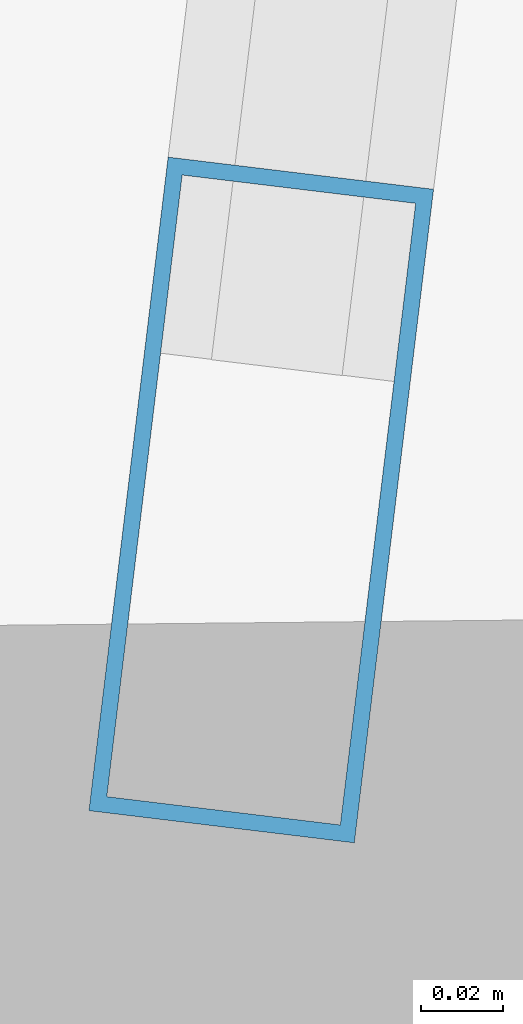
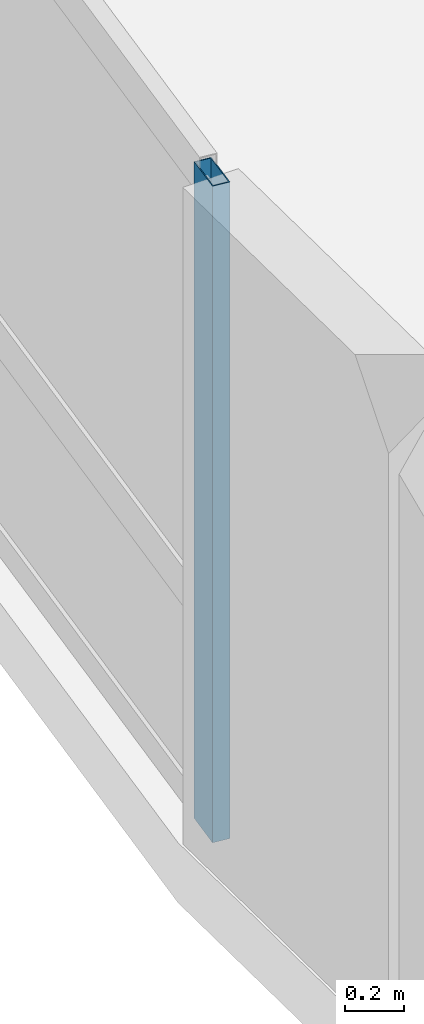
# One storey, part 2 of 26: 1 member, 1 element without a shape of its own.
"""IFC4 building model written with IfcOpenShell, lengths in metres."""

import ifcopenshell
import ifcopenshell.guid

model = None  # the IFC model being written
_history = None  # IfcOwnerHistory: only IFC2X3 demands one
_inside = {}  # id of a spatial element -> (the spatial element, [elements in it])
_under = {}  # id of a project, library or spatial element -> (it, [spatial elements below it])
_declared = {}  # id of a project -> (the project, [libraries it declares])
_typed = {}  # id of a type object -> (the type object, [elements of that type])
_made_of = {}  # id of a material, layer set ... -> (it, [elements and type objects made of it])


def new_model(schema):
    """Start an empty IFC model of exactly this schema.

    Asked for "IFC4X3", IfcOpenShell would pick the latest addendum, in which some entities
    have other attributes; the version numbers below select the first issue.
    IFC2X3 requires an IfcOwnerHistory on every rooted entity: one is made here for all.
    """
    global model, _history
    if schema == "IFC4X3":
        model = ifcopenshell.file(schema_version=(4, 3, 0, 0))
    else:
        model = ifcopenshell.file(schema=schema)
    _inside.clear()
    _under.clear()
    _declared.clear()
    _typed.clear()
    _made_of.clear()
    _history = None
    if model.schema == "IFC2X3":
        org = make("IfcOrganization", Name="unknown")
        user = make(
            "IfcPersonAndOrganization",
            ThePerson=make("IfcPerson", FamilyName="unknown"),
            TheOrganization=org,
        )
        app = make(
            "IfcApplication",
            ApplicationDeveloper=org,
            Version="unknown",
            ApplicationFullName="unknown",
            ApplicationIdentifier="unknown",
        )
        _history = make(
            "IfcOwnerHistory",
            OwningUser=user,
            OwningApplication=app,
            ChangeAction="ADDED",
            CreationDate=0,
        )
    return model


def make(cls, **values):
    """One entity of the class cls with the attributes given. An attribute that is None is left unset."""
    return model.create_entity(
        cls, **{name: value for name, value in values.items() if value is not None}
    )


def rooted(cls, **values):
    """An entity with a GlobalId (a new one), such as an element, a storey or a relation."""
    return make(cls, GlobalId=ifcopenshell.guid.new(), OwnerHistory=_history, **values)


def si_unit(unit_type, name, prefix=None):
    """IfcSIUnit, for example si_unit("LENGTHUNIT", "METRE", prefix="MILLI")."""
    return make("IfcSIUnit", UnitType=unit_type, Prefix=prefix, Name=name)


def assignment(units):
    """IfcUnitAssignment: the units of a project."""
    return None if units is None else make("IfcUnitAssignment", Units=units)


def point(xyz):
    """IfcCartesianPoint."""
    return None if xyz is None else make("IfcCartesianPoint", Coordinates=xyz)


def direction(xyz):
    """IfcDirection."""
    return None if xyz is None else make("IfcDirection", DirectionRatios=xyz)


def frame(location, z_axis=None, x_axis=None):
    """IfcAxis2Placement3D, a coordinate frame: its origin and axes. An axis left out is left unset."""
    return make(
        "IfcAxis2Placement3D",
        Location=point(location),
        Axis=direction(z_axis),
        RefDirection=direction(x_axis),
    )


def frame_2d(location, x_axis=None):
    """IfcAxis2Placement2D, a coordinate frame in the plane: its origin and x axis."""
    return make(
        "IfcAxis2Placement2D", Location=point(location), RefDirection=direction(x_axis)
    )


def origin():
    """The frame at (0, 0, 0) with its axes left unset."""
    return frame((0.0, 0.0, 0.0))


def origin_2d():
    """The frame at (0, 0) in the plane with its x axis left unset."""
    return frame_2d((0.0, 0.0))


def place(relative_to, where):
    """IfcLocalPlacement: puts the frame where relative to a parent placement (None: the world)."""
    return make(
        "IfcLocalPlacement", PlacementRelTo=relative_to, RelativePlacement=where
    )


def context(
    kind, dimensions, precision=None, world=None, true_north=None, identifier=None
):
    """IfcGeometricRepresentationContext, for example the 3D "Model" context."""
    return make(
        "IfcGeometricRepresentationContext",
        ContextIdentifier=identifier,
        ContextType=kind,
        CoordinateSpaceDimension=dimensions,
        Precision=precision,
        WorldCoordinateSystem=world,
        TrueNorth=true_north,
    )


def subcontext(parent, identifier, kind, view, scale=None):
    """IfcGeometricRepresentationSubContext, for example "Body" below "Model"."""
    return make(
        "IfcGeometricRepresentationSubContext",
        ContextIdentifier=identifier,
        ContextType=kind,
        ParentContext=parent,
        TargetScale=scale,
        TargetView=view,
    )


def project(units=None, contexts=None):
    """IfcProject with its units and contexts."""
    return rooted(
        "IfcProject",
        Name="project",
        RepresentationContexts=contexts,
        UnitsInContext=assignment(units),
    )


def spatial(cls, under=None, at=None, **own):
    """A site, building, storey or space (cls), placed at a placement, below another one or the project."""
    s = rooted(cls, ObjectPlacement=at, **own)
    if under is not None:
        _under.setdefault(under.id(), (under, []))[1].append(s)
    return s


def profile(cls, at=None, kind="AREA", **sizes):
    """A parametric profile (cls). Its sizes go by their IFC names, for example OverallWidth=200.0."""
    return make(cls, ProfileType=kind, Position=at, **sizes)


def hollow_rectangle(**sizes):
    """IfcRectangleHollowProfileDef."""
    return profile("IfcRectangleHollowProfileDef", **sizes)


def extrude(swept, where, along, depth):
    """IfcExtrudedAreaSolid: the profile swept, set in the frame where, extruded along a direction by depth."""
    return make(
        "IfcExtrudedAreaSolid",
        SweptArea=swept,
        Position=where,
        ExtrudedDirection=direction(along),
        Depth=depth,
    )


def shape(context_of_items, identifier, shape_type, items):
    """IfcShapeRepresentation: the items that make up one representation, for example the "Body"."""
    return make(
        "IfcShapeRepresentation",
        ContextOfItems=context_of_items,
        RepresentationIdentifier=identifier,
        RepresentationType=shape_type,
        Items=items,
    )


def material(Name=None, Category=None):
    """IfcMaterial."""
    return make("IfcMaterial", Name=Name, Category=Category)


def layer(
    of_material, thickness, ventilated=None, Name=None, Category=None, Priority=None
):
    """IfcMaterialLayer: one layer of a wall or slab, of a material (None: an air gap)."""
    return make(
        "IfcMaterialLayer",
        Material=of_material,
        LayerThickness=thickness,
        IsVentilated=ventilated,
        Name=Name,
        Category=Category,
        Priority=Priority,
    )


def layer_set(layers, Name=None):
    """IfcMaterialLayerSet."""
    return make("IfcMaterialLayerSet", MaterialLayers=layers, LayerSetName=Name)


def material_profile(
    of_material, cross_section, Name=None, Category=None, Priority=None
):
    """IfcMaterialProfile: a cross section and its material."""
    return make(
        "IfcMaterialProfile",
        Name=Name,
        Material=of_material,
        Profile=cross_section,
        Priority=Priority,
        Category=Category,
    )


def profile_set(profiles, Name=None, composite=None):
    """IfcMaterialProfileSet."""
    return make(
        "IfcMaterialProfileSet",
        Name=Name,
        MaterialProfiles=profiles,
        CompositeProfile=composite,
    )


def made_of(thing, what):
    """Note that an element or type object is made of a material, layer set ...; save() writes the relation."""
    if what is not None:
        _made_of.setdefault(what.id(), (what, []))[1].append(thing)
    return thing


def type_object(cls, material=None, **own):
    """A type object (cls), such as IfcWallType, which elements share."""
    return made_of(rooted(cls, **own), material)


def element(
    cls,
    number,
    at=None,
    inside=None,
    cuts=None,
    type_object=None,
    material=None,
    context=None,
    identifier="Body",
    shape_type=None,
    held_by="IfcProductDefinitionShape",
    body=None,
    shapes=None,
    **own,
):
    """One element of the class cls, such as IfcWall. Its Tag is "e" and its number.

    at: its placement. inside: the storey or other place that contains it. cuts: it is an
    opening in that element (IfcRelVoidsElement). A single representation is given by context,
    identifier, shape_type and body (its items); several are given by shapes. held_by: the class
    of the entity that holds the representations. save() writes the other relations.
    """
    e = rooted(cls, Tag="e%d" % number, ObjectPlacement=at, **own)
    if body is not None:
        shapes = [shape(context, identifier, shape_type, body)]
    if shapes is not None:
        e.Representation = make(held_by, Representations=shapes)
    if inside is not None:
        _inside.setdefault(inside.id(), (inside, []))[1].append(e)
    if cuts is not None:
        rooted(
            "IfcRelVoidsElement", RelatingBuildingElement=cuts, RelatedOpeningElement=e
        )
    if type_object is not None:
        _typed.setdefault(type_object.id(), (type_object, []))[1].append(e)
    return made_of(e, material)


def aggregate(whole, parts):
    """IfcRelAggregates: a whole, such as a stair, and the parts it consists of."""
    return rooted("IfcRelAggregates", RelatingObject=whole, RelatedObjects=parts)


def save(model, path):
    """Write the relations noted so far, then the file.

    IfcRelAggregates (storeys below a building ...), IfcRelContainedInSpatialStructure (elements
    in a storey), IfcRelDefinesByType, IfcRelAssociatesMaterial and IfcRelDeclares: one each for
    every whole, place, type object, material and project.
    """
    for whole, parts in _under.values():
        aggregate(whole, parts)
    for where, things in _inside.values():
        rooted(
            "IfcRelContainedInSpatialStructure",
            RelatedElements=things,
            RelatingStructure=where,
        )
    for kind, things in _typed.values():
        rooted("IfcRelDefinesByType", RelatedObjects=things, RelatingType=kind)
    for what, things in _made_of.values():
        rooted("IfcRelAssociatesMaterial", RelatedObjects=things, RelatingMaterial=what)
    for by, libraries in _declared.values():
        rooted("IfcRelDeclares", RelatingContext=by, RelatedDefinitions=libraries)
    model.write(path)


model = new_model("IFC4")

# Units and contexts
model_context = context("Model", 3, precision=1e-05, world=origin(), true_north=direction((0.0, 1.0)))
body_context = subcontext(model_context, "Body", "Model", "MODEL_VIEW")
ifc_project = project(units=[si_unit("LENGTHUNIT", "METRE"), si_unit("AREAUNIT", "SQUARE_METRE"), si_unit("VOLUMEUNIT", "CUBIC_METRE"), si_unit("PLANEANGLEUNIT", "RADIAN"), si_unit("MASSUNIT", "GRAM", prefix="KILO")], contexts=[model_context])

# Site, building, storey
site_placement = place(None, origin())
site = spatial("IfcSite", under=ifc_project, at=site_placement, CompositionType="ELEMENT")
building_placement = place(site_placement, origin())
building = spatial("IfcBuilding", under=site, at=building_placement, Name="Varnelok Gate Tower", CompositionType="ELEMENT")
storey_placement = place(building_placement, frame((0.0, 0.0, 147.60009765625)))
storey = spatial("IfcBuildingStorey", under=building, at=storey_placement, Name="L37", CompositionType="ELEMENT", Elevation=147.60009765625)

# Curtain wall, member
ifc_material = material(Name="Anodized Aluminum Alloy 6063-T6", Category="aluminium")
ifc_layer = layer(ifc_material, 0.179931640625)
ifc_layer_set = layer_set([ifc_layer], Name="Anodized Aluminum Alloy 6063-T6")
curtain_wall_type = type_object("IfcCurtainWallType", Name="CW3-HOTEL-VISION", PredefinedType="USERDEFINED", material=ifc_layer_set)
curtain_wall_placement = place(storey_placement, origin())
curtain_wall = element("IfcCurtainWall", 1, at=curtain_wall_placement, inside=storey, type_object=curtain_wall_type, Name="L37 West End Vision Curtain Wall", ObjectType="UNITISED CURTAIN WALL", PredefinedType="USERDEFINED")
ifc_material_profile = material_profile(ifc_material, hollow_rectangle(XDim=0.06494140625, YDim=0.159912109375, WallThickness=0.00390625, at=origin_2d()), Name="ALU160X65X4")
ifc_profile_set = profile_set([ifc_material_profile], Name="Anodized Aluminum Alloy 6063-T6")
member_type = type_object("IfcMemberType", Name="CW-MULL-160", PredefinedType="MULLION", material=ifc_profile_set)
member_placement = place(storey_placement, frame((0.2470703125, 11.923095703125, 0.0), z_axis=(0.0, 0.0, 1.0), x_axis=(-0.99273188146, 0.120347046212, 0.0)))
member = element("IfcMember", 2, at=member_placement, type_object=member_type, Name="CW3 mullion 1", PredefinedType="MULLION", context=body_context, shape_type="SweptSolid", body=[
    extrude(hollow_rectangle(XDim=0.06494140625, YDim=0.159912109375, WallThickness=0.00390625, at=origin_2d()), origin(), (0.0, 0.0, 1.0), 2.72998046875),
])
aggregate(curtain_wall, [member])

save(model, "model.ifc")
